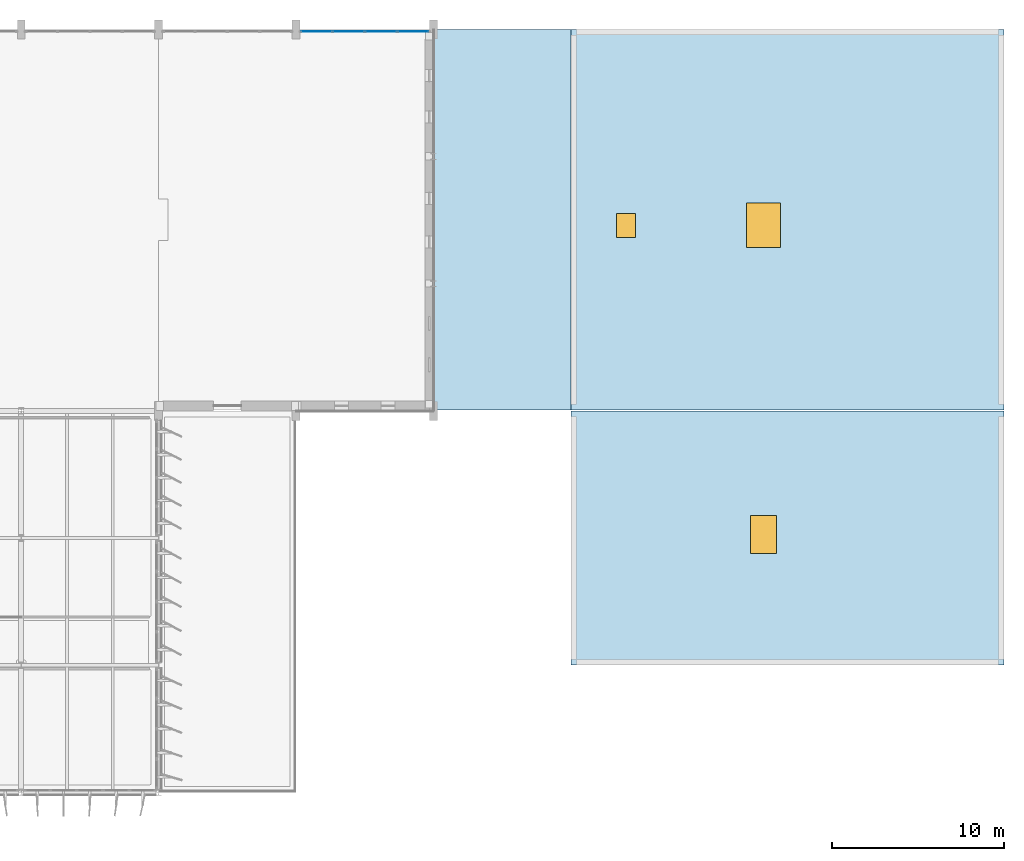
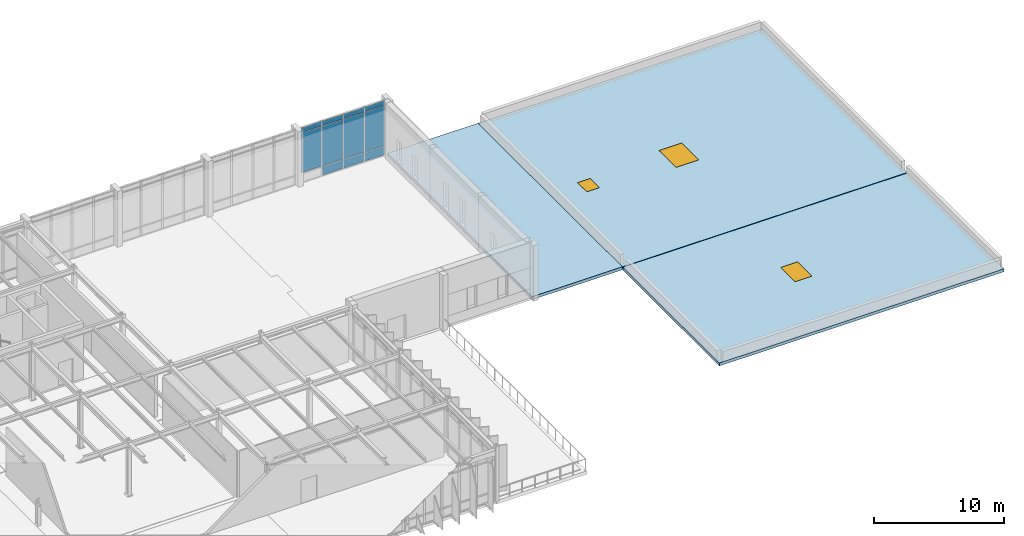
# One storey, part 33 of 48: 11 plates, 3 slabs, 3 windows, 3 openings, 1 element without a shape of its own.
"""IFC4 building model written with IfcOpenShell, lengths in metres."""

from ifc_helpers import new_model, si_unit, direction, frame, origin, origin_2d, place, context, subcontext, project, spatial, polyline, rectangle, outline, extrude, material, layer, layer_set, type_object, element, fill, aggregate, save


model = new_model("IFC4")

# Units and contexts
model_context = context("Model", 3, precision=1e-05, world=origin(), true_north=direction((0.0, 1.0)))
body_context = subcontext(model_context, "Body", "Model", "MODEL_VIEW")
ifc_project = project(units=[si_unit("LENGTHUNIT", "METRE"), si_unit("AREAUNIT", "SQUARE_METRE"), si_unit("VOLUMEUNIT", "CUBIC_METRE"), si_unit("PLANEANGLEUNIT", "RADIAN"), si_unit("MASSUNIT", "GRAM", prefix="KILO")], contexts=[model_context])

# Site, building, storey
site_placement = place(None, origin())
site = spatial("IfcSite", under=ifc_project, at=site_placement, CompositionType="ELEMENT")
building_placement = place(site_placement, origin())
building = spatial("IfcBuilding", under=site, at=building_placement, Name="Valkorina Park Police Headquarters", CompositionType="ELEMENT")
storey_placement = place(building_placement, frame((0.0, 0.0, 18.10009765625)))
storey = spatial("IfcBuildingStorey", under=building, at=storey_placement, Name="L05", CompositionType="ELEMENT", Elevation=18.10009765625)

# Curtain wall, plates
ifc_material_1 = material(Name="Thermally broken aluminium AW-6060", Category="aluminium")
ifc_layer_1 = layer(ifc_material_1, 0.18994140625)
ifc_layer_set_1 = layer_set([ifc_layer_1], Name="Thermally broken aluminium AW-6060")
curtain_wall_type = type_object("IfcCurtainWallType", Name="CW-CMD-7530x5190", PredefinedType="NOTDEFINED", material=ifc_layer_set_1)
curtain_wall_placement = place(storey_placement, origin())
curtain_wall = element("IfcCurtainWall", 1, at=curtain_wall_placement, inside=storey, type_object=curtain_wall_type, Name="L05 Unitised Curtain Wall 093", PredefinedType="NOTDEFINED")
ifc_layer_2 = layer(ifc_material_1, 0.050048828125)
ifc_layer_set_2 = layer_set([ifc_layer_2], Name="Thermally broken aluminium AW-6060")
plate_type_1 = type_object("IfcPlateType", Name="PL-CWP-SPANDREL-50", PredefinedType="CURTAIN_PANEL", material=ifc_layer_set_2)
plate_1_placement = place(storey_placement, frame((123.858642578125, 81.280029296875, 0.059814453125), z_axis=(0.0, 0.0, 1.0), x_axis=(1.0, 0.0, 0.0)))
plate_1 = element("IfcPlate", 2, at=plate_1_placement, type_object=plate_type_1, Name="CW-CMD-753-519 panel 2.1", PredefinedType="CURTAIN_PANEL", context=body_context, shape_type="SweptSolid", body=[
    extrude(rectangle(XDim=1.822509765625, YDim=0.028076171875, at=origin_2d()), origin(), (0.0, 0.0, 1.0), 0.81005859375),
])
plate_2_placement = place(storey_placement, frame((125.7412109375, 81.280029296875, 0.059814453125), z_axis=(0.0, 0.0, 1.0), x_axis=(1.0, 0.0, 0.0)))
plate_2 = element("IfcPlate", 3, at=plate_2_placement, type_object=plate_type_1, Name="CW-CMD-753-519 panel 3.1", PredefinedType="CURTAIN_PANEL", context=body_context, shape_type="SweptSolid", body=[
    extrude(rectangle(XDim=1.822509765625, YDim=0.028076171875, at=origin_2d()), origin(), (0.0, 0.0, 1.0), 0.81005859375),
])
plate_3_placement = place(storey_placement, frame((127.608642578125, 81.280029296875, 0.059814453125), z_axis=(0.0, 0.0, 1.0), x_axis=(1.0, 0.0, 0.0)))
plate_3 = element("IfcPlate", 4, at=plate_3_placement, type_object=plate_type_1, Name="CW-CMD-753-519 panel 4.1", PredefinedType="CURTAIN_PANEL", context=body_context, shape_type="SweptSolid", body=[
    extrude(rectangle(XDim=1.79248046875, YDim=0.028076171875, at=origin_2d()), origin(), (0.0, 0.0, 1.0), 0.81005859375),
])
ifc_material_2 = material(Name="Triple low-E insulated glazing", Category="glass")
ifc_layer_3 = layer(ifc_material_2, 0.028076171875)
ifc_layer_set_3 = layer_set([ifc_layer_3], Name="Triple low-E insulated glazing")
plate_type_2 = type_object("IfcPlateType", Name="PL-CWP-VISION-28", PredefinedType="CURTAIN_PANEL", material=ifc_layer_set_3)
plate_4_placement = place(storey_placement, frame((121.9912109375, 81.280029296875, 0.929931640625), z_axis=(0.0, 0.0, 1.0), x_axis=(1.0, 0.0, 0.0)))
plate_4 = element("IfcPlate", 5, at=plate_4_placement, type_object=plate_type_2, Name="CW-CMD-753-519 panel 1.2", PredefinedType="CURTAIN_PANEL", context=body_context, shape_type="SweptSolid", body=[
    extrude(rectangle(XDim=1.79248046875, YDim=0.028076171875, at=origin_2d()), origin(), (0.0, 0.0, 1.0), 3.7099609375),
])
plate_5_placement = place(storey_placement, frame((121.9912109375, 81.280029296875, 4.69970703125), z_axis=(0.0, 0.0, 1.0), x_axis=(1.0, 0.0, 0.0)))
plate_5 = element("IfcPlate", 6, at=plate_5_placement, type_object=plate_type_2, Name="CW-CMD-753-519 panel 1.3", PredefinedType="CURTAIN_PANEL", context=body_context, shape_type="SweptSolid", body=[
    extrude(rectangle(XDim=1.79248046875, YDim=0.028076171875, at=origin_2d()), origin(), (0.0, 0.0, 1.0), 0.429931640625),
])
plate_6_placement = place(storey_placement, frame((123.858642578125, 81.280029296875, 0.929931640625), z_axis=(0.0, 0.0, 1.0), x_axis=(1.0, 0.0, 0.0)))
plate_6 = element("IfcPlate", 7, at=plate_6_placement, type_object=plate_type_2, Name="CW-CMD-753-519 panel 2.2", PredefinedType="CURTAIN_PANEL", context=body_context, shape_type="SweptSolid", body=[
    extrude(rectangle(XDim=1.822509765625, YDim=0.028076171875, at=origin_2d()), origin(), (0.0, 0.0, 1.0), 3.7099609375),
])
plate_7_placement = place(storey_placement, frame((123.858642578125, 81.280029296875, 4.69970703125), z_axis=(0.0, 0.0, 1.0), x_axis=(1.0, 0.0, 0.0)))
plate_7 = element("IfcPlate", 8, at=plate_7_placement, type_object=plate_type_2, Name="CW-CMD-753-519 panel 2.3", PredefinedType="CURTAIN_PANEL", context=body_context, shape_type="SweptSolid", body=[
    extrude(rectangle(XDim=1.822509765625, YDim=0.028076171875, at=origin_2d()), origin(), (0.0, 0.0, 1.0), 0.429931640625),
])
plate_8_placement = place(storey_placement, frame((125.7412109375, 81.280029296875, 0.929931640625), z_axis=(0.0, 0.0, 1.0), x_axis=(1.0, 0.0, 0.0)))
plate_8 = element("IfcPlate", 9, at=plate_8_placement, type_object=plate_type_2, Name="CW-CMD-753-519 panel 3.2", PredefinedType="CURTAIN_PANEL", context=body_context, shape_type="SweptSolid", body=[
    extrude(rectangle(XDim=1.822509765625, YDim=0.028076171875, at=origin_2d()), origin(), (0.0, 0.0, 1.0), 3.7099609375),
])
plate_9_placement = place(storey_placement, frame((125.7412109375, 81.280029296875, 4.69970703125), z_axis=(0.0, 0.0, 1.0), x_axis=(1.0, 0.0, 0.0)))
plate_9 = element("IfcPlate", 10, at=plate_9_placement, type_object=plate_type_2, Name="CW-CMD-753-519 panel 3.3", PredefinedType="CURTAIN_PANEL", context=body_context, shape_type="SweptSolid", body=[
    extrude(rectangle(XDim=1.822509765625, YDim=0.028076171875, at=origin_2d()), origin(), (0.0, 0.0, 1.0), 0.429931640625),
])
plate_10_placement = place(storey_placement, frame((127.608642578125, 81.280029296875, 0.929931640625), z_axis=(0.0, 0.0, 1.0), x_axis=(1.0, 0.0, 0.0)))
plate_10 = element("IfcPlate", 11, at=plate_10_placement, type_object=plate_type_2, Name="CW-CMD-753-519 panel 4.2", PredefinedType="CURTAIN_PANEL", context=body_context, shape_type="SweptSolid", body=[
    extrude(rectangle(XDim=1.79248046875, YDim=0.028076171875, at=origin_2d()), origin(), (0.0, 0.0, 1.0), 3.7099609375),
])
plate_11_placement = place(storey_placement, frame((127.608642578125, 81.280029296875, 4.69970703125), z_axis=(0.0, 0.0, 1.0), x_axis=(1.0, 0.0, 0.0)))
plate_11 = element("IfcPlate", 12, at=plate_11_placement, type_object=plate_type_2, Name="CW-CMD-753-519 panel 4.3", PredefinedType="CURTAIN_PANEL", context=body_context, shape_type="SweptSolid", body=[
    extrude(rectangle(XDim=1.79248046875, YDim=0.028076171875, at=origin_2d()), origin(), (0.0, 0.0, 1.0), 0.429931640625),
])
aggregate(curtain_wall, [plate_4, plate_5, plate_1, plate_6, plate_7, plate_2, plate_8, plate_9, plate_3, plate_10, plate_11])

# Slab, opening, window
ifc_material_3 = material(Name="Concrete C35/45", Category="concrete")
ifc_layer_4 = layer(ifc_material_3, 0.280029296875)
ifc_layer_set_4 = layer_set([ifc_layer_4], Name="Concrete C35/45")
slab_type = type_object("IfcSlabType", Name="SL-ROOF-FLAT-280", PredefinedType="ROOF", material=ifc_layer_set_4)
slab_1_placement = place(storey_placement, frame((0.0, 0.0, -0.280029296875)))
slab_1 = element("IfcSlab", 13, at=slab_1_placement, inside=storey, type_object=slab_type, Name="L05 Flat Roof Deck SLAB-L05-ROOF-V6-1-P1", PredefinedType="ROOF", context=body_context, shape_type="SweptSolid", body=[
    extrude(outline(polyline([(162.0, 59.19189453125), (136.800048828125, 59.19189453125), (136.800048828125, 44.39990234375), (162.0, 44.39990234375), (162.0, 59.19189453125)])), origin(), (0.0, 0.0, 1.0), 0.280029296875),
])
opening_1_placement = place(slab_1_placement, frame((148.0, 52.0, -0.010009765625)))
opening_1 = element("IfcOpeningElement", 14, at=opening_1_placement, cuts=slab_1, Name="Opening SK-04", PredefinedType="OPENING", context=body_context, shape_type="SweptSolid", body=[
    extrude(rectangle(XDim=1.5, YDim=2.199951171875, at=origin_2d()), origin(), (0.0, 0.0, 1.0), 0.300048828125),
])
ifc_layer_5 = layer(ifc_material_2, 0.06005859375)
ifc_layer_set_5 = layer_set([ifc_layer_5], Name="Triple low-E insulated glazing")
window_type_1 = type_object("IfcWindowType", Name="SK-LAB-1500x2200", PartitioningType="SINGLE_PANEL", PredefinedType="SKYLIGHT", material=ifc_layer_set_5)
window_1_placement = place(slab_1_placement, frame((148.0, 52.0, 0.22998046875)))
window_1 = element("IfcWindow", 15, at=window_1_placement, inside=storey, type_object=window_type_1, Name="L05 Roof Skylight and Hatch 5", OverallHeight=2.199951171875, OverallWidth=1.5, PartitioningType="SINGLE_PANEL", PredefinedType="SKYLIGHT", context=body_context, shape_type="SweptSolid", body=[
    extrude(rectangle(XDim=1.5, YDim=2.199951171875, at=origin_2d()), origin(), (0.0, 0.0, 1.0), 0.050048828125),
])
fill(opening_1, window_1)

# Slab, openings, windows
slab_2_placement = place(storey_placement, frame((0.0, 0.0, -0.280029296875)))
slab_2 = element("IfcSlab", 16, at=slab_2_placement, inside=storey, type_object=slab_type, Name="L05 Flat Roof Deck SLAB-L05-ROOF-V6-1-P2", PredefinedType="ROOF", context=body_context, shape_type="SweptSolid", body=[
    extrude(outline(polyline([(136.800048828125, 59.241943359375), (162.0, 59.241943359375), (162.0, 81.39990234375), (136.800048828125, 81.39990234375), (136.800048828125, 59.241943359375)])), origin(), (0.0, 0.0, 1.0), 0.280029296875),
])
opening_2_placement = place(slab_2_placement, frame((148.0, 70.0, -0.010009765625)))
opening_2 = element("IfcOpeningElement", 17, at=opening_2_placement, cuts=slab_2, Name="Opening SK-05", PredefinedType="OPENING", context=body_context, shape_type="SweptSolid", body=[
    extrude(rectangle(XDim=2.0, YDim=2.60009765625, at=origin_2d()), origin(), (0.0, 0.0, 1.0), 0.300048828125),
])
opening_3_placement = place(slab_2_placement, frame((140.0, 70.0, -0.010009765625)))
opening_3 = element("IfcOpeningElement", 18, at=opening_3_placement, cuts=slab_2, Name="Opening SK-06", PredefinedType="OPENING", context=body_context, shape_type="SweptSolid", body=[
    extrude(rectangle(XDim=1.10009765625, YDim=1.39990234375, at=origin_2d()), origin(), (0.0, 0.0, 1.0), 0.300048828125),
])
ifc_layer_6 = layer(ifc_material_1, 0.06005859375)
ifc_layer_set_6 = layer_set([ifc_layer_6], Name="Thermally broken aluminium AW-6060")
window_type_2 = type_object("IfcWindowType", Name="SK-HATCH-1100x1400", PartitioningType="SINGLE_PANEL", PredefinedType="SKYLIGHT", material=ifc_layer_set_6)
window_2_placement = place(slab_2_placement, frame((140.0, 70.0, 0.22998046875)))
window_2 = element("IfcWindow", 19, at=window_2_placement, inside=storey, type_object=window_type_2, Name="L05 Roof Skylight and Hatch 7", OverallHeight=1.39990234375, OverallWidth=1.10009765625, PartitioningType="SINGLE_PANEL", PredefinedType="SKYLIGHT", context=body_context, shape_type="SweptSolid", body=[
    extrude(rectangle(XDim=1.10009765625, YDim=1.39990234375, at=origin_2d()), origin(), (0.0, 0.0, 1.0), 0.050048828125),
])
fill(opening_3, window_2)
ifc_layer_7 = layer(ifc_material_2, 0.06005859375)
ifc_layer_set_7 = layer_set([ifc_layer_7], Name="Triple low-E insulated glazing")
window_type_3 = type_object("IfcWindowType", Name="SK-LAB-2000x2600", PartitioningType="SINGLE_PANEL", PredefinedType="SKYLIGHT", material=ifc_layer_set_7)
window_3_placement = place(slab_2_placement, frame((148.0, 70.0, 0.22998046875)))
window_3 = element("IfcWindow", 20, at=window_3_placement, inside=storey, type_object=window_type_3, Name="L05 Roof Skylight and Hatch 6", OverallHeight=2.60009765625, OverallWidth=2.0, PartitioningType="SINGLE_PANEL", PredefinedType="SKYLIGHT", context=body_context, shape_type="SweptSolid", body=[
    extrude(rectangle(XDim=2.0, YDim=2.60009765625, at=origin_2d()), origin(), (0.0, 0.0, 1.0), 0.050048828125),
])
fill(opening_2, window_3)

# Slab
slab_3_placement = place(storey_placement, frame((0.0, 0.0, -0.280029296875)))
element("IfcSlab", 21, at=slab_3_placement, inside=storey, type_object=slab_type, Name="L05 Flat Roof Deck SLAB-L05-ROOF-V6-2", PredefinedType="ROOF", context=body_context, shape_type="SweptSolid", body=[
    extrude(outline(polyline([(128.800048828125, 59.241943359375), (136.800048828125, 59.241943359375), (136.800048828125, 81.39990234375), (128.800048828125, 81.39990234375), (128.800048828125, 59.241943359375)])), origin(), (0.0, 0.0, 1.0), 0.280029296875),
])

save(model, "model.ifc")
